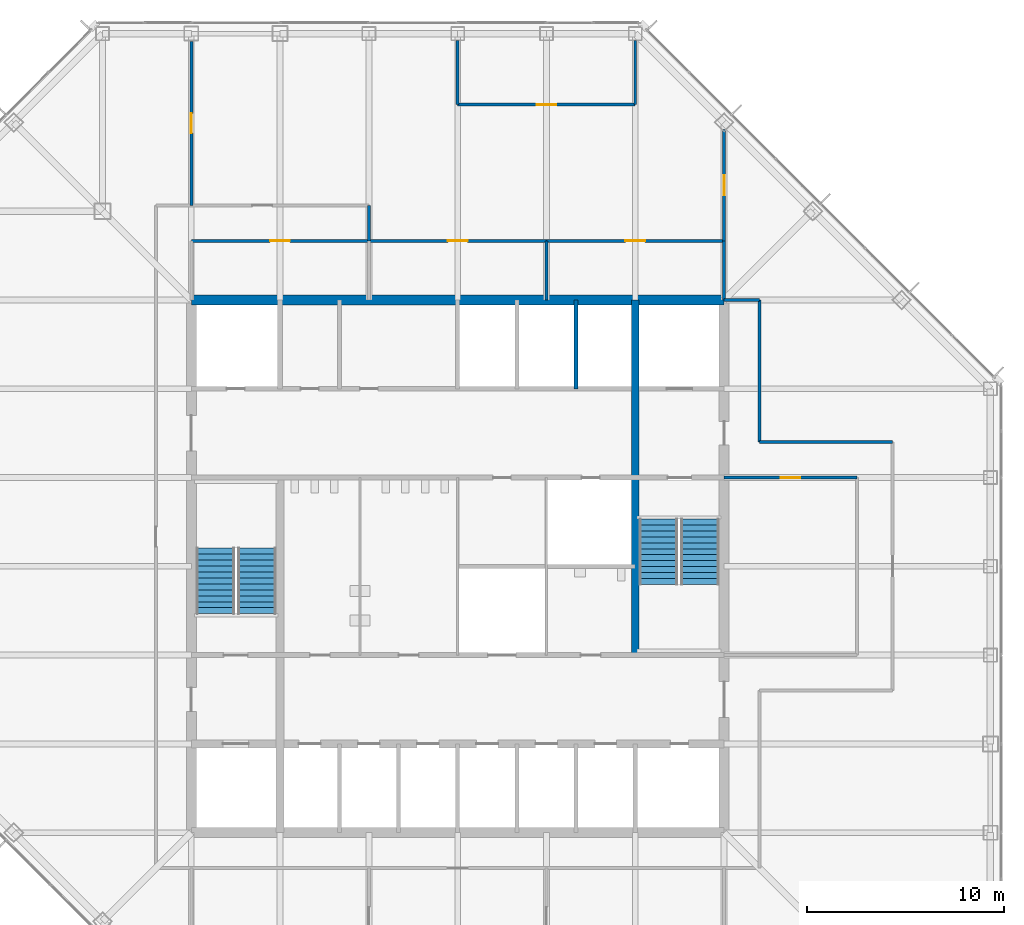
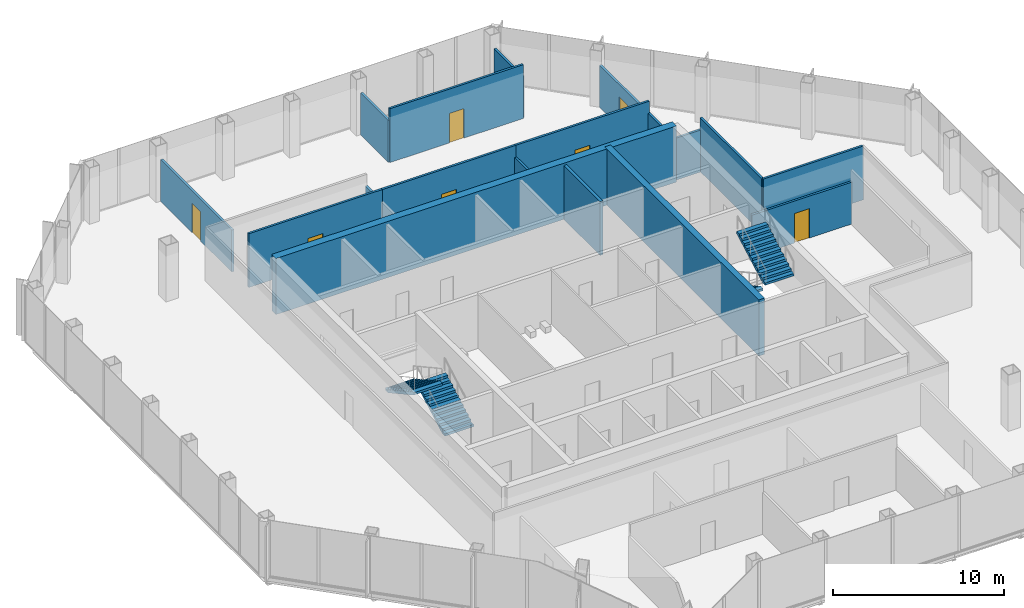
# One storey, part 10 of 12: 18 walls, 7 doors, 4 stair flights, 7 openings, 2 elements without a shape of their own.
"""IFC4 building model written with IfcOpenShell, lengths in metres."""

import ifcopenshell
import ifcopenshell.guid

model = None  # the IFC model being written
_history = None  # IfcOwnerHistory: only IFC2X3 demands one
_inside = {}  # id of a spatial element -> (the spatial element, [elements in it])
_under = {}  # id of a project, library or spatial element -> (it, [spatial elements below it])
_declared = {}  # id of a project -> (the project, [libraries it declares])
_typed = {}  # id of a type object -> (the type object, [elements of that type])
_made_of = {}  # id of a material, layer set ... -> (it, [elements and type objects made of it])


def new_model(schema):
    """Start an empty IFC model of exactly this schema.

    Asked for "IFC4X3", IfcOpenShell would pick the latest addendum, in which some entities
    have other attributes; the version numbers below select the first issue.
    IFC2X3 requires an IfcOwnerHistory on every rooted entity: one is made here for all.
    """
    global model, _history
    if schema == "IFC4X3":
        model = ifcopenshell.file(schema_version=(4, 3, 0, 0))
    else:
        model = ifcopenshell.file(schema=schema)
    _inside.clear()
    _under.clear()
    _declared.clear()
    _typed.clear()
    _made_of.clear()
    _history = None
    if model.schema == "IFC2X3":
        org = make("IfcOrganization", Name="unknown")
        user = make(
            "IfcPersonAndOrganization",
            ThePerson=make("IfcPerson", FamilyName="unknown"),
            TheOrganization=org,
        )
        app = make(
            "IfcApplication",
            ApplicationDeveloper=org,
            Version="unknown",
            ApplicationFullName="unknown",
            ApplicationIdentifier="unknown",
        )
        _history = make(
            "IfcOwnerHistory",
            OwningUser=user,
            OwningApplication=app,
            ChangeAction="ADDED",
            CreationDate=0,
        )
    return model


def make(cls, **values):
    """One entity of the class cls with the attributes given. An attribute that is None is left unset."""
    return model.create_entity(
        cls, **{name: value for name, value in values.items() if value is not None}
    )


def rooted(cls, **values):
    """An entity with a GlobalId (a new one), such as an element, a storey or a relation."""
    return make(cls, GlobalId=ifcopenshell.guid.new(), OwnerHistory=_history, **values)


def si_unit(unit_type, name, prefix=None):
    """IfcSIUnit, for example si_unit("LENGTHUNIT", "METRE", prefix="MILLI")."""
    return make("IfcSIUnit", UnitType=unit_type, Prefix=prefix, Name=name)


def assignment(units):
    """IfcUnitAssignment: the units of a project."""
    return None if units is None else make("IfcUnitAssignment", Units=units)


def point(xyz):
    """IfcCartesianPoint."""
    return None if xyz is None else make("IfcCartesianPoint", Coordinates=xyz)


def direction(xyz):
    """IfcDirection."""
    return None if xyz is None else make("IfcDirection", DirectionRatios=xyz)


def frame(location, z_axis=None, x_axis=None):
    """IfcAxis2Placement3D, a coordinate frame: its origin and axes. An axis left out is left unset."""
    return make(
        "IfcAxis2Placement3D",
        Location=point(location),
        Axis=direction(z_axis),
        RefDirection=direction(x_axis),
    )


def frame_2d(location, x_axis=None):
    """IfcAxis2Placement2D, a coordinate frame in the plane: its origin and x axis."""
    return make(
        "IfcAxis2Placement2D", Location=point(location), RefDirection=direction(x_axis)
    )


def origin():
    """The frame at (0, 0, 0) with its axes left unset."""
    return frame((0.0, 0.0, 0.0))


def place(relative_to, where):
    """IfcLocalPlacement: puts the frame where relative to a parent placement (None: the world)."""
    return make(
        "IfcLocalPlacement", PlacementRelTo=relative_to, RelativePlacement=where
    )


def context(
    kind, dimensions, precision=None, world=None, true_north=None, identifier=None
):
    """IfcGeometricRepresentationContext, for example the 3D "Model" context."""
    return make(
        "IfcGeometricRepresentationContext",
        ContextIdentifier=identifier,
        ContextType=kind,
        CoordinateSpaceDimension=dimensions,
        Precision=precision,
        WorldCoordinateSystem=world,
        TrueNorth=true_north,
    )


def subcontext(parent, identifier, kind, view, scale=None):
    """IfcGeometricRepresentationSubContext, for example "Body" below "Model"."""
    return make(
        "IfcGeometricRepresentationSubContext",
        ContextIdentifier=identifier,
        ContextType=kind,
        ParentContext=parent,
        TargetScale=scale,
        TargetView=view,
    )


def project(units=None, contexts=None):
    """IfcProject with its units and contexts."""
    return rooted(
        "IfcProject",
        Name="project",
        RepresentationContexts=contexts,
        UnitsInContext=assignment(units),
    )


def spatial(cls, under=None, at=None, **own):
    """A site, building, storey or space (cls), placed at a placement, below another one or the project."""
    s = rooted(cls, ObjectPlacement=at, **own)
    if under is not None:
        _under.setdefault(under.id(), (under, []))[1].append(s)
    return s


def polyline(points):
    """IfcPolyline through the points."""
    return make("IfcPolyline", Points=[point(p) for p in points])


def profile(cls, at=None, kind="AREA", **sizes):
    """A parametric profile (cls). Its sizes go by their IFC names, for example OverallWidth=200.0."""
    return make(cls, ProfileType=kind, Position=at, **sizes)


def rectangle(**sizes):
    """IfcRectangleProfileDef."""
    return profile("IfcRectangleProfileDef", **sizes)


def outline(outer, holes=None, kind="AREA"):
    """IfcArbitraryClosedProfileDef: a profile drawn as a closed curve; with holes, ...WithVoids."""
    if holes is None:
        return make("IfcArbitraryClosedProfileDef", ProfileType=kind, OuterCurve=outer)
    return make(
        "IfcArbitraryProfileDefWithVoids",
        ProfileType=kind,
        OuterCurve=outer,
        InnerCurves=holes,
    )


def extrude(swept, where, along, depth):
    """IfcExtrudedAreaSolid: the profile swept, set in the frame where, extruded along a direction by depth."""
    return make(
        "IfcExtrudedAreaSolid",
        SweptArea=swept,
        Position=where,
        ExtrudedDirection=direction(along),
        Depth=depth,
    )


def shape(context_of_items, identifier, shape_type, items):
    """IfcShapeRepresentation: the items that make up one representation, for example the "Body"."""
    return make(
        "IfcShapeRepresentation",
        ContextOfItems=context_of_items,
        RepresentationIdentifier=identifier,
        RepresentationType=shape_type,
        Items=items,
    )


def material(Name=None, Category=None):
    """IfcMaterial."""
    return make("IfcMaterial", Name=Name, Category=Category)


def layer(
    of_material, thickness, ventilated=None, Name=None, Category=None, Priority=None
):
    """IfcMaterialLayer: one layer of a wall or slab, of a material (None: an air gap)."""
    return make(
        "IfcMaterialLayer",
        Material=of_material,
        LayerThickness=thickness,
        IsVentilated=ventilated,
        Name=Name,
        Category=Category,
        Priority=Priority,
    )


def layer_set(layers, Name=None):
    """IfcMaterialLayerSet."""
    return make("IfcMaterialLayerSet", MaterialLayers=layers, LayerSetName=Name)


def made_of(thing, what):
    """Note that an element or type object is made of a material, layer set ...; save() writes the relation."""
    if what is not None:
        _made_of.setdefault(what.id(), (what, []))[1].append(thing)
    return thing


def type_object(cls, material=None, **own):
    """A type object (cls), such as IfcWallType, which elements share."""
    return made_of(rooted(cls, **own), material)


def element(
    cls,
    number,
    at=None,
    inside=None,
    cuts=None,
    type_object=None,
    material=None,
    context=None,
    identifier="Body",
    shape_type=None,
    held_by="IfcProductDefinitionShape",
    body=None,
    shapes=None,
    **own,
):
    """One element of the class cls, such as IfcWall. Its Tag is "e" and its number.

    at: its placement. inside: the storey or other place that contains it. cuts: it is an
    opening in that element (IfcRelVoidsElement). A single representation is given by context,
    identifier, shape_type and body (its items); several are given by shapes. held_by: the class
    of the entity that holds the representations. save() writes the other relations.
    """
    e = rooted(cls, Tag="e%d" % number, ObjectPlacement=at, **own)
    if body is not None:
        shapes = [shape(context, identifier, shape_type, body)]
    if shapes is not None:
        e.Representation = make(held_by, Representations=shapes)
    if inside is not None:
        _inside.setdefault(inside.id(), (inside, []))[1].append(e)
    if cuts is not None:
        rooted(
            "IfcRelVoidsElement", RelatingBuildingElement=cuts, RelatedOpeningElement=e
        )
    if type_object is not None:
        _typed.setdefault(type_object.id(), (type_object, []))[1].append(e)
    return made_of(e, material)


def fill(opening, filler):
    """IfcRelFillsElement: the door or window that sits in an opening."""
    return rooted(
        "IfcRelFillsElement",
        RelatingOpeningElement=opening,
        RelatedBuildingElement=filler,
    )


def aggregate(whole, parts):
    """IfcRelAggregates: a whole, such as a stair, and the parts it consists of."""
    return rooted("IfcRelAggregates", RelatingObject=whole, RelatedObjects=parts)


def save(model, path):
    """Write the relations noted so far, then the file.

    IfcRelAggregates (storeys below a building ...), IfcRelContainedInSpatialStructure (elements
    in a storey), IfcRelDefinesByType, IfcRelAssociatesMaterial and IfcRelDeclares: one each for
    every whole, place, type object, material and project.
    """
    for whole, parts in _under.values():
        aggregate(whole, parts)
    for where, things in _inside.values():
        rooted(
            "IfcRelContainedInSpatialStructure",
            RelatedElements=things,
            RelatingStructure=where,
        )
    for kind, things in _typed.values():
        rooted("IfcRelDefinesByType", RelatedObjects=things, RelatingType=kind)
    for what, things in _made_of.values():
        rooted("IfcRelAssociatesMaterial", RelatedObjects=things, RelatingMaterial=what)
    for by, libraries in _declared.values():
        rooted("IfcRelDeclares", RelatingContext=by, RelatedDefinitions=libraries)
    model.write(path)


model = new_model("IFC4")

# Units and contexts
model_context = context("Model", 3, precision=1e-05, world=origin(), true_north=direction((0.0, 1.0)))
body_context = subcontext(model_context, "Body", "Model", "MODEL_VIEW")
ifc_project = project(units=[si_unit("LENGTHUNIT", "METRE"), si_unit("AREAUNIT", "SQUARE_METRE"), si_unit("VOLUMEUNIT", "CUBIC_METRE"), si_unit("PLANEANGLEUNIT", "RADIAN"), si_unit("MASSUNIT", "GRAM", prefix="KILO")], contexts=[model_context])

# Site, building, storey
site_placement = place(None, origin())
site = spatial("IfcSite", under=ifc_project, at=site_placement, CompositionType="ELEMENT")
building_placement = place(site_placement, origin())
building = spatial("IfcBuilding", under=site, at=building_placement, Name="Corais Broadcast Tower", CompositionType="ELEMENT")
storey_placement = place(building_placement, frame((0.0, 0.0, 183.60009765625)))
storey = spatial("IfcBuildingStorey", under=building, at=storey_placement, Name="L42", CompositionType="ELEMENT", Elevation=183.60009765625)

# Walls
ifc_material_1 = material(Name="Concrete C50/60", Category="concrete")
ifc_layer_1 = layer(ifc_material_1, 0.39990234375)
ifc_layer_set_1 = layer_set([ifc_layer_1], Name="Concrete C50/60")
wall_type_1 = type_object("IfcWallType", Name="Core wall 400", PredefinedType="SHEAR", material=ifc_layer_set_1)
wall_1_placement = place(storey_placement, frame((36.0, 22.5, 0.0), z_axis=(0.0, 0.0, 1.0), x_axis=(0.0, 1.0, 0.0)))
element("IfcWall", 1, at=wall_1_placement, inside=storey, type_object=wall_type_1, Name="CR400 core wall X36B L42", PredefinedType="SHEAR", context=body_context, shape_type="SweptSolid", body=[
    extrude(rectangle(XDim=18.0, YDim=0.39990234375, at=frame_2d((9.0, 0.0))), origin(), (0.0, 0.0, 1.0), 4.0),
])
ifc_material_2 = material(Name="Concrete C50/60", Category="concrete")
ifc_layer_2 = layer(ifc_material_2, 0.5)
ifc_layer_set_2 = layer_set([ifc_layer_2], Name="Concrete C50/60")
wall_type_2 = type_object("IfcWallType", Name="Core wall 500", PredefinedType="SHEAR", material=ifc_layer_set_2)
wall_2_placement = place(storey_placement, frame((40.5, 40.5, 0.0), z_axis=(0.0, 0.0, 1.0), x_axis=(-1.0, 0.0, 0.0)))
element("IfcWall", 2, at=wall_2_placement, inside=storey, type_object=wall_type_2, Name="CR500 core wall N L42", PredefinedType="SHEAR", context=body_context, shape_type="SweptSolid", body=[
    extrude(rectangle(XDim=27.0, YDim=0.5, at=frame_2d((13.5, 0.0))), origin(), (0.0, 0.0, 1.0), 4.0),
])
ifc_material_3 = material(Name="Gypsum board on steel studs", Category="steel")
ifc_layer_3 = layer(ifc_material_3, 0.14990234375)
ifc_layer_set_3 = layer_set([ifc_layer_3], Name="Gypsum board on steel studs")
wall_type_3 = type_object("IfcWallType", Name="Partition 150", PredefinedType="PARTITIONING", material=ifc_layer_set_3)
wall_3_placement = place(storey_placement, frame((42.300048828125, 33.300048828125, 0.0), z_axis=(0.0, 0.0, 1.0), x_axis=(0.0, 1.0, 0.0)))
element("IfcWall", 3, at=wall_3_placement, inside=storey, type_object=wall_type_3, Name="IW3 corridor wall L42", PredefinedType="PARTITIONING", context=body_context, shape_type="SweptSolid", body=[
    extrude(rectangle(XDim=7.199951171875, YDim=0.14990234375, at=frame_2d((3.60009765625, 0.0))), origin(), (0.0, 0.0, 1.0), 3.83984375),
])
wall_4_placement = place(storey_placement, frame((49.050048828125, 33.300048828125, 0.0), z_axis=(0.0, 0.0, 1.0), x_axis=(-1.0, 0.0, 0.0)))
element("IfcWall", 4, at=wall_4_placement, inside=storey, type_object=wall_type_3, Name="IW3 corridor wall L42", PredefinedType="PARTITIONING", context=body_context, shape_type="SweptSolid", body=[
    extrude(rectangle(XDim=6.75, YDim=0.14990234375, at=frame_2d((3.375, 0.0))), origin(), (0.0, 0.0, 1.0), 3.83984375),
])
for number, where, z_axis, x_axis, name in (
    (5, (22.5, 43.5, 0.0), (0.0, 0.0, 1.0), (0.0, 1.0, 0.0), "IW3 corridor wall L42"),
    (6, (42.300048828125, 40.5, 0.0), (0.0, 0.0, 1.0), (-1.0, 0.0, 0.0), "IW3 corridor wall L42"),
):
    element("IfcWall", number, at=place(storey_placement, frame(where, z_axis=z_axis, x_axis=x_axis)), inside=storey, type_object=wall_type_3, Name=name, PredefinedType="PARTITIONING", context=body_context, shape_type="SweptSolid", body=[
        extrude(rectangle(XDim=1.800048828125, YDim=0.14990234375, at=frame_2d((0.89990234375, 0.0))), origin(), (0.0, 0.0, 1.0), 2.989013671875),
    ])

# Wall, opening, door
wall_5_placement = place(storey_placement, frame((47.25, 31.5, 0.0), z_axis=(0.0, 0.0, 1.0), x_axis=(-1.0, 0.0, 0.0)))
wall_5 = element("IfcWall", 7, at=wall_5_placement, inside=storey, type_object=wall_type_3, Name="IW3 partition L42", PredefinedType="PARTITIONING", context=body_context, shape_type="SweptSolid", body=[
    extrude(rectangle(XDim=6.75, YDim=0.14990234375, at=frame_2d((3.375, 0.0))), origin(), (0.0, 0.0, 1.0), 2.989013671875),
])
opening_1_placement = place(wall_5_placement, frame((2.875, 0.0, 0.0)))
opening_1 = element("IfcOpeningElement", 8, at=opening_1_placement, cuts=wall_5, Name="Opening D1", PredefinedType="OPENING", context=body_context, shape_type="SweptSolid", body=[
    extrude(rectangle(XDim=1.0, YDim=2.10009765625, at=frame_2d((0.5, 1.050048828125))), frame((0.0, 0.0849609375, 0.0), z_axis=(0.0, -1.0, 0.0), x_axis=(1.0, 0.0, 0.0)), (0.0, 0.0, 1.0), 0.169921875),
])
ifc_material_4 = material(Name="Timber door", Category="wood")
door_type = type_object("IfcDoorType", Name="Single door 1000x2100", OperationType="SINGLE_SWING_LEFT", PredefinedType="DOOR", material=ifc_material_4)
door_1_placement = place(opening_1_placement, origin())
door_1 = element("IfcDoor", 9, at=door_1_placement, inside=storey, type_object=door_type, Name="D1 Meeting room door", OperationType="SINGLE_SWING_LEFT", OverallHeight=2.10009765625, OverallWidth=1.0, PredefinedType="DOOR", context=body_context, shape_type="SweptSolid", body=[
    extrude(rectangle(XDim=1.0, YDim=2.10009765625, at=frame_2d((0.5, 1.050048828125))), frame((0.0, 0.02490234375, 0.0), z_axis=(0.0, -1.0, 0.0), x_axis=(1.0, 0.0, 0.0)), (0.0, 0.0, 1.0), 0.050048828125),
])
fill(opening_1, door_1)

wall_6_placement = place(storey_placement, frame((22.5, 43.5, 0.0), z_axis=(0.0, 0.0, 1.0), x_axis=(-1.0, 0.0, 0.0)))
wall_6 = element("IfcWall", 10, at=wall_6_placement, inside=storey, type_object=wall_type_3, Name="IW3 partition L42", PredefinedType="PARTITIONING", context=body_context, shape_type="SweptSolid", body=[
    extrude(rectangle(XDim=9.0, YDim=0.14990234375, at=frame_2d((4.5, 0.0))), origin(), (0.0, 0.0, 1.0), 3.83984375),
])
opening_2_placement = place(wall_6_placement, frame((4.0, 0.0, 0.0)))
opening_2 = element("IfcOpeningElement", 11, at=opening_2_placement, cuts=wall_6, Name="Opening D1", PredefinedType="OPENING", context=body_context, shape_type="SweptSolid", body=[
    extrude(rectangle(XDim=1.0, YDim=2.10009765625, at=frame_2d((0.5, 1.050048828125))), frame((0.0, 0.0849609375, 0.0), z_axis=(0.0, -1.0, 0.0), x_axis=(1.0, 0.0, 0.0)), (0.0, 0.0, 1.0), 0.169921875),
])
door_2_placement = place(opening_2_placement, origin())
door_2 = element("IfcDoor", 12, at=door_2_placement, inside=storey, type_object=door_type, Name="D1 Stationery store door", OperationType="SINGLE_SWING_LEFT", OverallHeight=2.10009765625, OverallWidth=1.0, PredefinedType="DOOR", context=body_context, shape_type="SweptSolid", body=[
    extrude(rectangle(XDim=1.0, YDim=2.10009765625, at=frame_2d((0.5, 1.050048828125))), frame((0.0, 0.02490234375, 0.0), z_axis=(0.0, -1.0, 0.0), x_axis=(1.0, 0.0, 0.0)), (0.0, 0.0, 1.0), 0.050048828125),
])
fill(opening_2, door_2)

# Wall
wall_7_placement = place(storey_placement, frame((31.5, 40.5, 0.0), z_axis=(0.0, 0.0, 1.0), x_axis=(0.0, 1.0, 0.0)))
element("IfcWall", 13, at=wall_7_placement, inside=storey, type_object=wall_type_3, Name="IW3 partition L42", PredefinedType="PARTITIONING", context=body_context, shape_type="SweptSolid", body=[
    extrude(rectangle(XDim=3.0, YDim=0.14990234375, at=frame_2d((1.5, 0.0))), origin(), (0.0, 0.0, 1.0), 2.989013671875),
])

# Wall, opening, door
wall_8_placement = place(storey_placement, frame((31.5, 43.5, 0.0), z_axis=(0.0, 0.0, 1.0), x_axis=(-1.0, 0.0, 0.0)))
wall_8 = element("IfcWall", 14, at=wall_8_placement, inside=storey, type_object=wall_type_3, Name="IW3 partition L42", PredefinedType="PARTITIONING", context=body_context, shape_type="SweptSolid", body=[
    extrude(rectangle(XDim=9.0, YDim=0.14990234375, at=frame_2d((4.5, 0.0))), origin(), (0.0, 0.0, 1.0), 3.83984375),
])
opening_3_placement = place(wall_8_placement, frame((4.0, 0.0, 0.0)))
opening_3 = element("IfcOpeningElement", 15, at=opening_3_placement, cuts=wall_8, Name="Opening D1", PredefinedType="OPENING", context=body_context, shape_type="SweptSolid", body=[
    extrude(rectangle(XDim=1.0, YDim=2.10009765625, at=frame_2d((0.5, 1.050048828125))), frame((0.0, 0.0849609375, 0.0), z_axis=(0.0, -1.0, 0.0), x_axis=(1.0, 0.0, 0.0)), (0.0, 0.0, 1.0), 0.169921875),
])
door_3_placement = place(opening_3_placement, origin())
door_3 = element("IfcDoor", 16, at=door_3_placement, inside=storey, type_object=door_type, Name="D1 Stationery store door", OperationType="SINGLE_SWING_LEFT", OverallHeight=2.10009765625, OverallWidth=1.0, PredefinedType="DOOR", context=body_context, shape_type="SweptSolid", body=[
    extrude(rectangle(XDim=1.0, YDim=2.10009765625, at=frame_2d((0.5, 1.050048828125))), frame((0.0, 0.02490234375, 0.0), z_axis=(0.0, -1.0, 0.0), x_axis=(1.0, 0.0, 0.0)), (0.0, 0.0, 1.0), 0.050048828125),
])
fill(opening_3, door_3)

# Wall
wall_9_placement = place(storey_placement, frame((40.5, 40.5, 0.0), z_axis=(0.0, 0.0, 1.0), x_axis=(0.0, 1.0, 0.0)))
element("IfcWall", 17, at=wall_9_placement, inside=storey, type_object=wall_type_3, Name="IW3 partition L42", PredefinedType="PARTITIONING", context=body_context, shape_type="SweptSolid", body=[
    extrude(rectangle(XDim=3.0, YDim=0.14990234375, at=frame_2d((1.5, 0.0))), origin(), (0.0, 0.0, 1.0), 2.989013671875),
])

# Wall, opening, door
wall_10_placement = place(storey_placement, frame((40.5, 43.5, 0.0), z_axis=(0.0, 0.0, 1.0), x_axis=(-1.0, 0.0, 0.0)))
wall_10 = element("IfcWall", 18, at=wall_10_placement, inside=storey, type_object=wall_type_3, Name="IW3 partition L42", PredefinedType="PARTITIONING", context=body_context, shape_type="SweptSolid", body=[
    extrude(rectangle(XDim=9.0, YDim=0.14990234375, at=frame_2d((4.5, 0.0))), origin(), (0.0, 0.0, 1.0), 3.83984375),
])
opening_4_placement = place(wall_10_placement, frame((4.0, 0.0, 0.0)))
opening_4 = element("IfcOpeningElement", 19, at=opening_4_placement, cuts=wall_10, Name="Opening D1", PredefinedType="OPENING", context=body_context, shape_type="SweptSolid", body=[
    extrude(rectangle(XDim=1.0, YDim=2.10009765625, at=frame_2d((0.5, 1.050048828125))), frame((0.0, 0.0849609375, 0.0), z_axis=(0.0, -1.0, 0.0), x_axis=(1.0, 0.0, 0.0)), (0.0, 0.0, 1.0), 0.169921875),
])
door_4_placement = place(opening_4_placement, origin())
door_4 = element("IfcDoor", 20, at=door_4_placement, inside=storey, type_object=door_type, Name="D1 Stationery store door", OperationType="SINGLE_SWING_LEFT", OverallHeight=2.10009765625, OverallWidth=1.0, PredefinedType="DOOR", context=body_context, shape_type="SweptSolid", body=[
    extrude(rectangle(XDim=1.0, YDim=2.10009765625, at=frame_2d((0.5, 1.050048828125))), frame((0.0, 0.02490234375, 0.0), z_axis=(0.0, -1.0, 0.0), x_axis=(1.0, 0.0, 0.0)), (0.0, 0.0, 1.0), 0.050048828125),
])
fill(opening_4, door_4)

wall_11_placement = place(storey_placement, frame((27.0, 50.39990234375, 0.0), z_axis=(0.0, 0.0, 1.0), x_axis=(1.0, 0.0, 0.0)))
wall_11 = element("IfcWall", 21, at=wall_11_placement, inside=storey, type_object=wall_type_3, Name="IW3 partition L42", PredefinedType="PARTITIONING", context=body_context, shape_type="SweptSolid", body=[
    extrude(rectangle(XDim=9.0, YDim=0.14990234375, at=frame_2d((4.5, 0.0))), origin(), (0.0, 0.0, 1.0), 3.83984375),
])
opening_5_placement = place(wall_11_placement, frame((4.0, 0.0, 0.0)))
opening_5 = element("IfcOpeningElement", 22, at=opening_5_placement, cuts=wall_11, Name="Opening D1", PredefinedType="OPENING", context=body_context, shape_type="SweptSolid", body=[
    extrude(rectangle(XDim=1.0, YDim=2.10009765625, at=frame_2d((0.5, 1.050048828125))), frame((0.0, 0.0849609375, 0.0), z_axis=(0.0, -1.0, 0.0), x_axis=(1.0, 0.0, 0.0)), (0.0, 0.0, 1.0), 0.169921875),
])
door_5_placement = place(opening_5_placement, origin())
door_5 = element("IfcDoor", 23, at=door_5_placement, inside=storey, type_object=door_type, Name="D1 Pantry door", OperationType="SINGLE_SWING_LEFT", OverallHeight=2.10009765625, OverallWidth=1.0, PredefinedType="DOOR", context=body_context, shape_type="SweptSolid", body=[
    extrude(rectangle(XDim=1.0, YDim=2.10009765625, at=frame_2d((0.5, 1.050048828125))), frame((0.0, 0.02490234375, 0.0), z_axis=(0.0, -1.0, 0.0), x_axis=(1.0, 0.0, 0.0)), (0.0, 0.0, 1.0), 0.050048828125),
])
fill(opening_5, door_5)

# Walls
for number, where, z_axis, x_axis, name in (
    (24, (36.0, 50.39990234375, 0.0), (0.0, 0.0, 1.0), (0.0, 1.0, 0.0), "IW3 partition L42"),
    (25, (27.0, 53.639892578125, 0.0), (0.0, 0.0, 1.0), (0.0, -1.0, 0.0), "IW3 partition L42"),
):
    element("IfcWall", number, at=place(storey_placement, frame(where, z_axis=z_axis, x_axis=x_axis)), inside=storey, type_object=wall_type_3, Name=name, PredefinedType="PARTITIONING", context=body_context, shape_type="SweptSolid", body=[
        extrude(rectangle(XDim=3.239990234375, YDim=0.14990234375, at=frame_2d((1.6201171875, 0.0))), origin(), (0.0, 0.0, 1.0), 2.989013671875),
    ])

# Wall, opening, door
wall_12_placement = place(storey_placement, frame((40.5, 49.1298828125, 0.0), z_axis=(0.0, 0.0, 1.0), x_axis=(0.0, -1.0, 0.0)))
wall_12 = element("IfcWall", 26, at=wall_12_placement, inside=storey, type_object=wall_type_3, Name="IW3 partition L42", PredefinedType="PARTITIONING", context=body_context, shape_type="SweptSolid", body=[
    extrude(rectangle(XDim=5.6298828125, YDim=0.14990234375, at=frame_2d((2.81494140625, 0.0))), origin(), (0.0, 0.0, 1.0), 2.989013671875),
])
opening_6_placement = place(wall_12_placement, frame((2.31494140625, 0.0, 0.0)))
opening_6 = element("IfcOpeningElement", 27, at=opening_6_placement, cuts=wall_12, Name="Opening D1", PredefinedType="OPENING", context=body_context, shape_type="SweptSolid", body=[
    extrude(rectangle(XDim=1.0, YDim=2.10009765625, at=frame_2d((0.5, 1.050048828125))), frame((0.0, 0.0849609375, 0.0), z_axis=(0.0, -1.0, 0.0), x_axis=(1.0, 0.0, 0.0)), (0.0, 0.0, 1.0), 0.169921875),
])
door_6_placement = place(opening_6_placement, origin())
door_6 = element("IfcDoor", 28, at=door_6_placement, inside=storey, type_object=door_type, Name="D1 team room door L42", OperationType="SINGLE_SWING_LEFT", OverallHeight=2.10009765625, OverallWidth=1.0, PredefinedType="DOOR", context=body_context, shape_type="SweptSolid", body=[
    extrude(rectangle(XDim=1.0, YDim=2.10009765625, at=frame_2d((0.5, 1.050048828125))), frame((0.0, 0.02490234375, 0.0), z_axis=(0.0, -1.0, 0.0), x_axis=(1.0, 0.0, 0.0)), (0.0, 0.0, 1.0), 0.050048828125),
])
fill(opening_6, door_6)

wall_13_placement = place(storey_placement, frame((13.5, 45.300048828125, 0.0), z_axis=(0.0, 0.0, 1.0), x_axis=(0.0, 1.0, 0.0)))
wall_13 = element("IfcWall", 29, at=wall_13_placement, inside=storey, type_object=wall_type_3, Name="IW3 partition L42", PredefinedType="PARTITIONING", context=body_context, shape_type="SweptSolid", body=[
    extrude(rectangle(XDim=8.304931640625, YDim=0.14990234375, at=frame_2d((4.15234375, 0.0))), origin(), (0.0, 0.0, 1.0), 2.989013671875),
])
opening_7_placement = place(wall_13_placement, frame((3.652587890625, 0.0, 0.0)))
opening_7 = element("IfcOpeningElement", 30, at=opening_7_placement, cuts=wall_13, Name="Opening D1", PredefinedType="OPENING", context=body_context, shape_type="SweptSolid", body=[
    extrude(rectangle(XDim=1.0, YDim=2.10009765625, at=frame_2d((0.5, 1.050048828125))), frame((0.0, 0.0849609375, 0.0), z_axis=(0.0, -1.0, 0.0), x_axis=(1.0, 0.0, 0.0)), (0.0, 0.0, 1.0), 0.169921875),
])
door_7_placement = place(opening_7_placement, origin())
door_7 = element("IfcDoor", 31, at=door_7_placement, inside=storey, type_object=door_type, Name="D1 team room door L42", OperationType="SINGLE_SWING_LEFT", OverallHeight=2.10009765625, OverallWidth=1.0, PredefinedType="DOOR", context=body_context, shape_type="SweptSolid", body=[
    extrude(rectangle(XDim=1.0, YDim=2.10009765625, at=frame_2d((0.5, 1.050048828125))), frame((0.0, 0.02490234375, 0.0), z_axis=(0.0, -1.0, 0.0), x_axis=(1.0, 0.0, 0.0)), (0.0, 0.0, 1.0), 0.050048828125),
])
fill(opening_7, door_7)

# Wall
ifc_material_5 = material(Name="Concrete blockwork class A, grouted, two-hour", Category="masonry")
ifc_layer_4 = layer(ifc_material_5, 0.199951171875)
ifc_layer_set_4 = layer_set([ifc_layer_4], Name="Concrete blockwork class A, grouted, two-hour")
wall_type_4 = type_object("IfcWallType", Name="Shaft wall 200", PredefinedType="PARTITIONING", material=ifc_layer_set_4)
wall_14_placement = place(storey_placement, frame((33.0, 36.0, 0.0), z_axis=(0.0, 0.0, 1.0), x_axis=(0.0, 1.0, 0.0)))
element("IfcWall", 32, at=wall_14_placement, inside=storey, type_object=wall_type_4, Name="IW1 shaft wall L42", PredefinedType="PARTITIONING", context=body_context, shape_type="SweptSolid", body=[
    extrude(rectangle(XDim=4.5, YDim=0.199951171875, at=frame_2d((2.25, 0.0))), origin(), (0.0, 0.0, 1.0), 3.83984375),
])

# Stair, stair flights
ifc_material_6 = material(Name="Concrete C30/37", Category="concrete")
stair_type = type_object("IfcStairType", Name="Half-turn stair 4000", PredefinedType="HALF_TURN_STAIR", material=ifc_material_6)
stair_1_placement = place(storey_placement, origin())
stair_1 = element("IfcStair", 33, at=stair_1_placement, inside=storey, type_object=stair_type, Name="Stair A L42", PredefinedType="HALF_TURN_STAIR")
ifc_material_7 = material(Name="Concrete C30/37", Category="concrete")
stair_flight_type = type_object("IfcStairFlightType", Name="Stair flight 4000", PredefinedType="STRAIGHT", material=ifc_material_7)
stair_flight_1_placement = place(storey_placement, frame((16.824951171875, 24.60009765625, 0.0), z_axis=(0.0, 0.0, 1.0), x_axis=(0.0, 1.0, 0.0)))
stair_flight_1 = element("IfcStairFlight", 34, at=stair_flight_1_placement, type_object=stair_flight_type, Name="STA flight 1", NumberOfRisers=12, NumberOfTreads=11, PredefinedType="STRAIGHT", RiserHeight=0.166666667, TreadLength=0.302, context=body_context, shape_type="SweptSolid", body=[
    extrude(outline(polyline([(0.0, 0.0), (0.0, 0.166748046875), (0.302001953125, 0.166748046875), (0.302001953125, 0.333251953125), (0.60400390625, 0.333251953125), (0.60400390625, 0.5), (0.906005859375, 0.5), (0.906005859375, 0.666748046875), (1.2080078125, 0.666748046875), (1.2080078125, 0.833251953125), (1.510009765625, 0.833251953125), (1.510009765625, 1.0), (1.81201171875, 1.0), (1.81201171875, 1.166748046875), (2.114013671875, 1.166748046875), (2.114013671875, 1.333251953125), (2.416015625, 1.333251953125), (2.416015625, 1.5), (2.718017578125, 1.5), (2.718017578125, 1.666748046875), (3.02001953125, 1.666748046875), (3.02001953125, 1.833251953125), (3.322021484375, 1.833251953125), (3.322021484375, 2.0), (3.322021484375, 1.662109375), (0.310302734375, 0.0), (0.0, 0.0)])), frame((0.0, 0.97509765625, 0.0), z_axis=(0.0, -1.0, 0.0), x_axis=(1.0, 0.0, 0.0)), (0.0, 0.0, 1.0), 1.949951171875),
])
stair_flight_2_placement = place(storey_placement, frame((14.72509765625, 27.922119140625, 2.0), z_axis=(0.0, 0.0, 1.0), x_axis=(0.0, -1.0, 0.0)))
stair_flight_2 = element("IfcStairFlight", 35, at=stair_flight_2_placement, type_object=stair_flight_type, Name="STA flight 2", NumberOfRisers=12, NumberOfTreads=11, PredefinedType="STRAIGHT", RiserHeight=0.166666667, TreadLength=0.302, context=body_context, shape_type="SweptSolid", body=[
    extrude(outline(polyline([(0.0, 0.0), (0.0, 0.166748046875), (0.302001953125, 0.166748046875), (0.302001953125, 0.333251953125), (0.60400390625, 0.333251953125), (0.60400390625, 0.5), (0.906005859375, 0.5), (0.906005859375, 0.666748046875), (1.2080078125, 0.666748046875), (1.2080078125, 0.833251953125), (1.510009765625, 0.833251953125), (1.510009765625, 1.0), (1.81201171875, 1.0), (1.81201171875, 1.166748046875), (2.114013671875, 1.166748046875), (2.114013671875, 1.333251953125), (2.416015625, 1.333251953125), (2.416015625, 1.5), (2.718017578125, 1.5), (2.718017578125, 1.666748046875), (3.02001953125, 1.666748046875), (3.02001953125, 1.833251953125), (3.322021484375, 1.833251953125), (3.322021484375, 2.0), (3.322021484375, 1.662109375), (0.310302734375, 0.0), (0.0, 0.0)])), frame((0.0, 0.97509765625, 0.0), z_axis=(0.0, -1.0, 0.0), x_axis=(1.0, 0.0, 0.0)), (0.0, 0.0, 1.0), 1.949951171875),
])
aggregate(stair_1, [stair_flight_1, stair_flight_2])

stair_2_placement = place(storey_placement, origin())
stair_2 = element("IfcStair", 36, at=stair_2_placement, inside=storey, type_object=stair_type, Name="Stair B L42", PredefinedType="HALF_TURN_STAIR")
stair_flight_3_placement = place(storey_placement, frame((37.175048828125, 29.39990234375, 0.0), z_axis=(0.0, 0.0, 1.0), x_axis=(0.0, -1.0, 0.0)))
stair_flight_3 = element("IfcStairFlight", 37, at=stair_flight_3_placement, type_object=stair_flight_type, Name="STB flight 1", NumberOfRisers=12, NumberOfTreads=11, PredefinedType="STRAIGHT", RiserHeight=0.166666667, TreadLength=0.302, context=body_context, shape_type="SweptSolid", body=[
    extrude(outline(polyline([(0.0, 0.0), (0.0, 0.166748046875), (0.302001953125, 0.166748046875), (0.302001953125, 0.333251953125), (0.60400390625, 0.333251953125), (0.60400390625, 0.5), (0.906005859375, 0.5), (0.906005859375, 0.666748046875), (1.2080078125, 0.666748046875), (1.2080078125, 0.833251953125), (1.510009765625, 0.833251953125), (1.510009765625, 1.0), (1.81201171875, 1.0), (1.81201171875, 1.166748046875), (2.114013671875, 1.166748046875), (2.114013671875, 1.333251953125), (2.416015625, 1.333251953125), (2.416015625, 1.5), (2.718017578125, 1.5), (2.718017578125, 1.666748046875), (3.02001953125, 1.666748046875), (3.02001953125, 1.833251953125), (3.322021484375, 1.833251953125), (3.322021484375, 2.0), (3.322021484375, 1.662109375), (0.310302734375, 0.0), (0.0, 0.0)])), frame((0.0, 0.97509765625, 0.0), z_axis=(0.0, -1.0, 0.0), x_axis=(1.0, 0.0, 0.0)), (0.0, 0.0, 1.0), 1.949951171875),
])
stair_flight_4_placement = place(storey_placement, frame((39.27490234375, 26.077880859375, 2.0), z_axis=(0.0, 0.0, 1.0), x_axis=(0.0, 1.0, 0.0)))
stair_flight_4 = element("IfcStairFlight", 38, at=stair_flight_4_placement, type_object=stair_flight_type, Name="STB flight 2", NumberOfRisers=12, NumberOfTreads=11, PredefinedType="STRAIGHT", RiserHeight=0.166666667, TreadLength=0.302, context=body_context, shape_type="SweptSolid", body=[
    extrude(outline(polyline([(0.0, 0.0), (0.0, 0.166748046875), (0.302001953125, 0.166748046875), (0.302001953125, 0.333251953125), (0.60400390625, 0.333251953125), (0.60400390625, 0.5), (0.906005859375, 0.5), (0.906005859375, 0.666748046875), (1.2080078125, 0.666748046875), (1.2080078125, 0.833251953125), (1.510009765625, 0.833251953125), (1.510009765625, 1.0), (1.81201171875, 1.0), (1.81201171875, 1.166748046875), (2.114013671875, 1.166748046875), (2.114013671875, 1.333251953125), (2.416015625, 1.333251953125), (2.416015625, 1.5), (2.718017578125, 1.5), (2.718017578125, 1.666748046875), (3.02001953125, 1.666748046875), (3.02001953125, 1.833251953125), (3.322021484375, 1.833251953125), (3.322021484375, 2.0), (3.322021484375, 1.662109375), (0.310302734375, 0.0), (0.0, 0.0)])), frame((0.0, 0.97509765625, 0.0), z_axis=(0.0, -1.0, 0.0), x_axis=(1.0, 0.0, 0.0)), (0.0, 0.0, 1.0), 1.949951171875),
])
aggregate(stair_2, [stair_flight_3, stair_flight_4])

save(model, "model.ifc")
